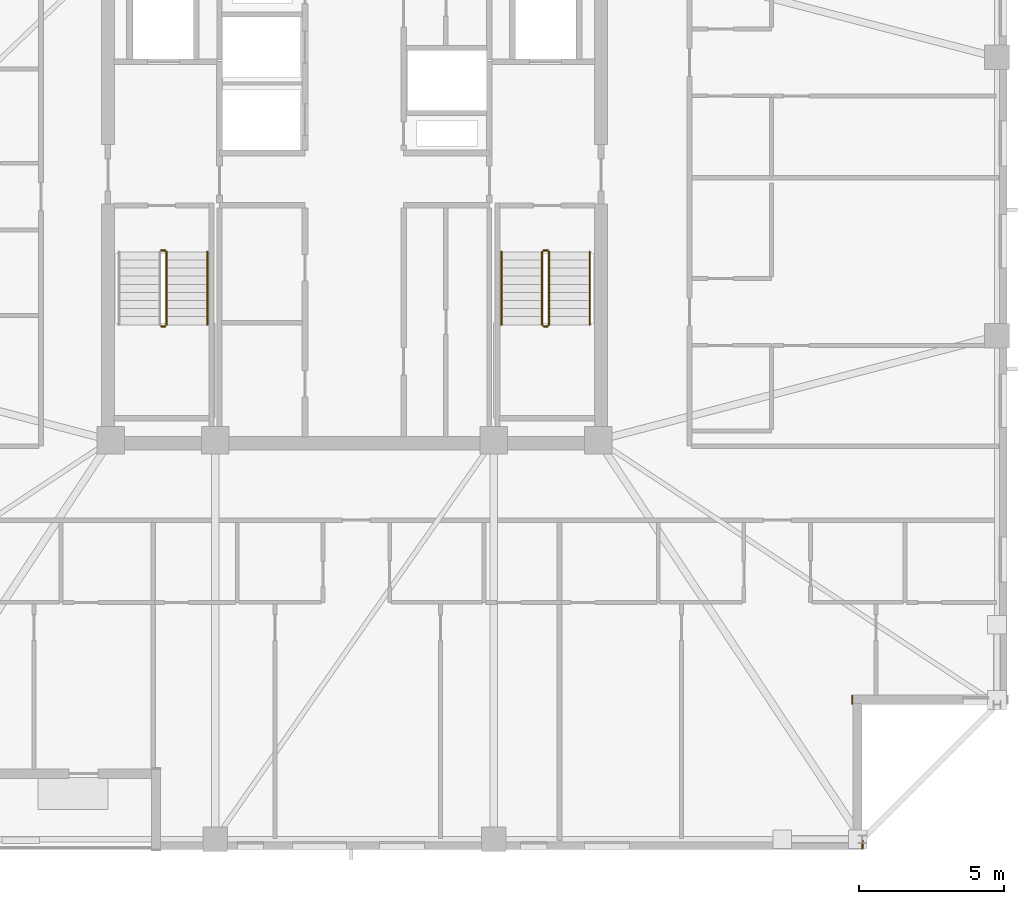
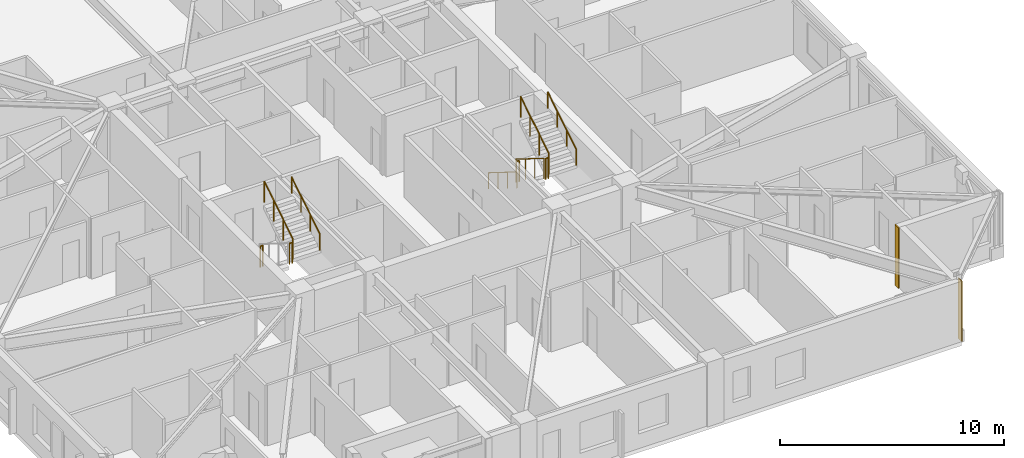
# One storey, part 14 of 17: 10 railings, 2 coverings.
"""IFC4 building model written with IfcOpenShell, lengths in metres."""

from ifc_helpers import new_model, si_unit, direction, frame, frame_2d, origin, origin_2d, place, context, subcontext, project, spatial, rectangle, circle, extrude, material, layer, layer_set, type_object, element, save


model = new_model("IFC4")

# Units and contexts
model_context = context("Model", 3, precision=1e-05, world=origin(), true_north=direction((0.0, 1.0)))
body_context = subcontext(model_context, "Body", "Model", "MODEL_VIEW")
ifc_project = project(units=[si_unit("LENGTHUNIT", "METRE"), si_unit("AREAUNIT", "SQUARE_METRE"), si_unit("VOLUMEUNIT", "CUBIC_METRE"), si_unit("PLANEANGLEUNIT", "RADIAN"), si_unit("MASSUNIT", "GRAM", prefix="KILO")], contexts=[model_context])

# Site, building, storey
site_placement = place(None, origin())
site = spatial("IfcSite", under=ifc_project, at=site_placement, CompositionType="ELEMENT")
building_placement = place(site_placement, origin())
building = spatial("IfcBuilding", under=site, at=building_placement, Name="Cairnveth Concourse Tower", CompositionType="ELEMENT")
storey_placement = place(building_placement, frame((0.0, 0.0, 258.5)))
storey = spatial("IfcBuildingStorey", under=building, at=storey_placement, Name="L71", CompositionType="ELEMENT", Elevation=258.5)

# Coverings
ifc_material_1 = material(Name="Dressed Melbourne Bluestone Cladding", Category="masonry")
ifc_layer = layer(ifc_material_1, 0.050048828125)
ifc_layer_set = layer_set([ifc_layer], Name="Dressed Melbourne Bluestone Cladding")
covering_type = type_object("IfcCoveringType", Name="DRESSED BLUESTONE PLINTH CLADDING 50", PredefinedType="CLADDING", material=ifc_layer_set)
for number, where, z_axis, x_axis, name in (
    (1, (69.159912109375, 21.820068359375, 0.0), (0.0, 0.0, 1.0), (0.0, -1.0, 0.0), "Melbourne Bluestone Corner Quoin L71-1082"),
    (2, (69.52001953125, 16.820068359375, 0.0), (0.0, 0.0, 1.0), (0.0, -1.0, 0.0), "Melbourne Bluestone Corner Quoin L71-1083"),
):
    element("IfcCovering", number, at=place(storey_placement, frame(where, z_axis=z_axis, x_axis=x_axis)), inside=storey, type_object=covering_type, Name=name, PredefinedType="CLADDING", context=body_context, shape_type="SweptSolid", body=[
        extrude(rectangle(XDim=0.320068359375, YDim=0.050048828125, at=frame_2d((0.16015625, 0.0))), origin(), (0.0, 0.0, 1.0), 3.2900390625),
    ])

# Railings
ifc_material_2 = material(Name="Steel Grade 350", Category="steel")
railing_type_1 = type_object("IfcRailingType", Name="STAIR GUARDRAIL 1150", PredefinedType="GUARDRAIL", material=ifc_material_2)
railing_1_placement = place(storey_placement, frame((45.340087890625, 34.530029296875, 1.75)))
element("IfcRailing", 3, at=railing_1_placement, inside=storey, type_object=railing_type_1, Name="L71 ST-1 stair guard 2", PredefinedType="GUARDRAIL", context=body_context, shape_type="SweptSolid", body=[
    extrude(circle(Radius=0.02392578125, at=origin_2d()), frame((0.0, 0.0, 1.1259765625), z_axis=(1.0, 0.0, 0.0), x_axis=(0.0, 1.0, 0.0)), (0.0, 0.0, 1.0), 0.139892578125),
    extrude(circle(Radius=0.02099609375, at=origin_2d()), origin(), (0.0, 0.0, 1.0), 1.101806640625),
    extrude(circle(Radius=0.02099609375, at=origin_2d()), frame((0.139892578125, 0.0, 0.0)), (0.0, 0.0, 1.0), 1.101806640625),
])
railing_2_placement = place(storey_placement, frame((45.530029296875, 34.580078125, 1.925048828125)))
element("IfcRailing", 4, at=railing_2_placement, inside=storey, type_object=railing_type_1, Name="L71 ST-1 stair guard 3", PredefinedType="GUARDRAIL", context=body_context, shape_type="SweptSolid", body=[
    extrude(circle(Radius=0.02392578125, at=origin_2d()), frame((0.0, 0.0, 1.1259765625), z_axis=(0.0, 0.848007534815, 0.529984170421), x_axis=(-1.0, 0.0, 0.0)), (0.0, 0.0, 1.0), 2.9716796875),
    extrude(circle(Radius=0.02099609375, at=origin_2d()), origin(), (0.0, 0.0, 1.0), 1.101806640625),
    extrude(circle(Radius=0.02099609375, at=origin_2d()), frame((0.0, 0.840087890625, 0.52490234375)), (0.0, 0.0, 1.0), 1.101806640625),
    extrude(circle(Radius=0.02099609375, at=origin_2d()), frame((0.0, 1.679931640625, 1.050048828125)), (0.0, 0.0, 1.0), 1.101806640625),
    extrude(circle(Radius=0.02099609375, at=origin_2d()), frame((0.0, 2.52001953125, 1.574951171875)), (0.0, 0.0, 1.0), 1.101806640625),
])
railing_3_placement = place(storey_placement, frame((45.340087890625, 37.14990234375, 0.0)))
element("IfcRailing", 5, at=railing_3_placement, inside=storey, type_object=railing_type_1, Name="L71 ST-1 stair guard 4", PredefinedType="GUARDRAIL", context=body_context, shape_type="SweptSolid", body=[
    extrude(circle(Radius=0.02392578125, at=origin_2d()), frame((0.0, 0.0, 1.1259765625), z_axis=(1.0, 0.0, 0.0), x_axis=(0.0, 1.0, 0.0)), (0.0, 0.0, 1.0), 0.139892578125),
    extrude(circle(Radius=0.02099609375, at=origin_2d()), origin(), (0.0, 0.0, 1.0), 1.101806640625),
    extrude(circle(Radius=0.02099609375, at=origin_2d()), frame((0.139892578125, 0.0, 0.0)), (0.0, 0.0, 1.0), 1.101806640625),
])
railing_4_placement = place(storey_placement, frame((58.469970703125, 37.10009765625, 0.175048828125)))
element("IfcRailing", 6, at=railing_4_placement, inside=storey, type_object=railing_type_1, Name="L71 ST-2 stair guard 1", PredefinedType="GUARDRAIL", context=body_context, shape_type="SweptSolid", body=[
    extrude(circle(Radius=0.02392578125, at=origin_2d()), frame((0.0, 0.0, 1.1259765625), z_axis=(0.0, -0.848007534815, 0.529984170421), x_axis=(1.0, 0.0, 0.0)), (0.0, 0.0, 1.0), 2.9716796875),
    extrude(circle(Radius=0.02099609375, at=origin_2d()), origin(), (0.0, 0.0, 1.0), 1.101806640625),
    extrude(circle(Radius=0.02099609375, at=origin_2d()), frame((0.0, -0.840087890625, 0.52490234375)), (0.0, 0.0, 1.0), 1.101806640625),
    extrude(circle(Radius=0.02099609375, at=origin_2d()), frame((0.0, -1.679931640625, 1.050048828125)), (0.0, 0.0, 1.0), 1.101806640625),
    extrude(circle(Radius=0.02099609375, at=origin_2d()), frame((0.0, -2.52001953125, 1.574951171875)), (0.0, 0.0, 1.0), 1.101806640625),
])
railing_5_placement = place(storey_placement, frame((58.52001953125, 34.530029296875, 1.75)))
element("IfcRailing", 7, at=railing_5_placement, inside=storey, type_object=railing_type_1, Name="L71 ST-2 stair guard 2", PredefinedType="GUARDRAIL", context=body_context, shape_type="SweptSolid", body=[
    extrude(circle(Radius=0.02392578125, at=origin_2d()), frame((0.0, 0.0, 1.1259765625), z_axis=(1.0, 0.0, 0.0), x_axis=(0.0, 1.0, 0.0)), (0.0, 0.0, 1.0), 0.139892578125),
    extrude(circle(Radius=0.02099609375, at=origin_2d()), origin(), (0.0, 0.0, 1.0), 1.101806640625),
    extrude(circle(Radius=0.02099609375, at=origin_2d()), frame((0.139892578125, 0.0, 0.0)), (0.0, 0.0, 1.0), 1.101806640625),
])
railing_6_placement = place(storey_placement, frame((58.7099609375, 34.580078125, 1.925048828125)))
element("IfcRailing", 8, at=railing_6_placement, inside=storey, type_object=railing_type_1, Name="L71 ST-2 stair guard 3", PredefinedType="GUARDRAIL", context=body_context, shape_type="SweptSolid", body=[
    extrude(circle(Radius=0.02392578125, at=origin_2d()), frame((0.0, 0.0, 1.1259765625), z_axis=(0.0, 0.848007534815, 0.529984170421), x_axis=(-1.0, 0.0, 0.0)), (0.0, 0.0, 1.0), 2.9716796875),
    extrude(circle(Radius=0.02099609375, at=origin_2d()), origin(), (0.0, 0.0, 1.0), 1.101806640625),
    extrude(circle(Radius=0.02099609375, at=origin_2d()), frame((0.0, 0.840087890625, 0.52490234375)), (0.0, 0.0, 1.0), 1.101806640625),
    extrude(circle(Radius=0.02099609375, at=origin_2d()), frame((0.0, 1.679931640625, 1.050048828125)), (0.0, 0.0, 1.0), 1.101806640625),
    extrude(circle(Radius=0.02099609375, at=origin_2d()), frame((0.0, 2.52001953125, 1.574951171875)), (0.0, 0.0, 1.0), 1.101806640625),
])
railing_7_placement = place(storey_placement, frame((58.52001953125, 37.14990234375, 0.0)))
element("IfcRailing", 9, at=railing_7_placement, inside=storey, type_object=railing_type_1, Name="L71 ST-2 stair guard 4", PredefinedType="GUARDRAIL", context=body_context, shape_type="SweptSolid", body=[
    extrude(circle(Radius=0.02392578125, at=origin_2d()), frame((0.0, 0.0, 1.1259765625), z_axis=(1.0, 0.0, 0.0), x_axis=(0.0, 1.0, 0.0)), (0.0, 0.0, 1.0), 0.139892578125),
    extrude(circle(Radius=0.02099609375, at=origin_2d()), origin(), (0.0, 0.0, 1.0), 1.101806640625),
    extrude(circle(Radius=0.02099609375, at=origin_2d()), frame((0.139892578125, 0.0, 0.0)), (0.0, 0.0, 1.0), 1.101806640625),
])
railing_type_2 = type_object("IfcRailingType", Name="STAIR WALL HANDRAIL 900", PredefinedType="HANDRAIL", material=ifc_material_2)
railing_8_placement = place(storey_placement, frame((46.929931640625, 34.580078125, 1.925048828125)))
element("IfcRailing", 10, at=railing_8_placement, inside=storey, type_object=railing_type_2, Name="L71 ST-1 stair handrail 2", PredefinedType="HANDRAIL", context=body_context, shape_type="SweptSolid", body=[
    extrude(circle(Radius=0.02392578125, at=origin_2d()), frame((0.0, 0.0, 0.8759765625), z_axis=(0.0, 0.848007534815, 0.529984170421), x_axis=(-1.0, 0.0, 0.0)), (0.0, 0.0, 1.0), 2.9716796875),
    extrude(circle(Radius=0.02099609375, at=origin_2d()), origin(), (0.0, 0.0, 1.0), 0.851806640625),
    extrude(circle(Radius=0.02099609375, at=origin_2d()), frame((0.0, 0.840087890625, 0.52490234375)), (0.0, 0.0, 1.0), 0.851806640625),
    extrude(circle(Radius=0.02099609375, at=origin_2d()), frame((0.0, 1.679931640625, 1.050048828125)), (0.0, 0.0, 1.0), 0.851806640625),
    extrude(circle(Radius=0.02099609375, at=origin_2d()), frame((0.0, 2.52001953125, 1.574951171875)), (0.0, 0.0, 1.0), 0.851806640625),
])
railing_9_placement = place(storey_placement, frame((57.070068359375, 37.10009765625, 0.175048828125)))
element("IfcRailing", 11, at=railing_9_placement, inside=storey, type_object=railing_type_2, Name="L71 ST-2 stair handrail 1", PredefinedType="HANDRAIL", context=body_context, shape_type="SweptSolid", body=[
    extrude(circle(Radius=0.02392578125, at=origin_2d()), frame((0.0, 0.0, 0.8759765625), z_axis=(0.0, -0.848007534815, 0.529984170421), x_axis=(1.0, 0.0, 0.0)), (0.0, 0.0, 1.0), 2.9716796875),
    extrude(circle(Radius=0.02099609375, at=origin_2d()), origin(), (0.0, 0.0, 1.0), 0.851806640625),
    extrude(circle(Radius=0.02099609375, at=origin_2d()), frame((0.0, -0.840087890625, 0.52490234375)), (0.0, 0.0, 1.0), 0.851806640625),
    extrude(circle(Radius=0.02099609375, at=origin_2d()), frame((0.0, -1.679931640625, 1.050048828125)), (0.0, 0.0, 1.0), 0.851806640625),
    extrude(circle(Radius=0.02099609375, at=origin_2d()), frame((0.0, -2.52001953125, 1.574951171875)), (0.0, 0.0, 1.0), 0.851806640625),
])
railing_10_placement = place(storey_placement, frame((60.110107421875, 34.580078125, 1.925048828125)))
element("IfcRailing", 12, at=railing_10_placement, inside=storey, type_object=railing_type_2, Name="L71 ST-2 stair handrail 2", PredefinedType="HANDRAIL", context=body_context, shape_type="SweptSolid", body=[
    extrude(circle(Radius=0.02392578125, at=origin_2d()), frame((0.0, 0.0, 0.8759765625), z_axis=(0.0, 0.848007534815, 0.529984170421), x_axis=(-1.0, 0.0, 0.0)), (0.0, 0.0, 1.0), 2.9716796875),
    extrude(circle(Radius=0.02099609375, at=origin_2d()), origin(), (0.0, 0.0, 1.0), 0.851806640625),
    extrude(circle(Radius=0.02099609375, at=origin_2d()), frame((0.0, 0.840087890625, 0.52490234375)), (0.0, 0.0, 1.0), 0.851806640625),
    extrude(circle(Radius=0.02099609375, at=origin_2d()), frame((0.0, 1.679931640625, 1.050048828125)), (0.0, 0.0, 1.0), 0.851806640625),
    extrude(circle(Radius=0.02099609375, at=origin_2d()), frame((0.0, 2.52001953125, 1.574951171875)), (0.0, 0.0, 1.0), 0.851806640625),
])

save(model, "model.ifc")
